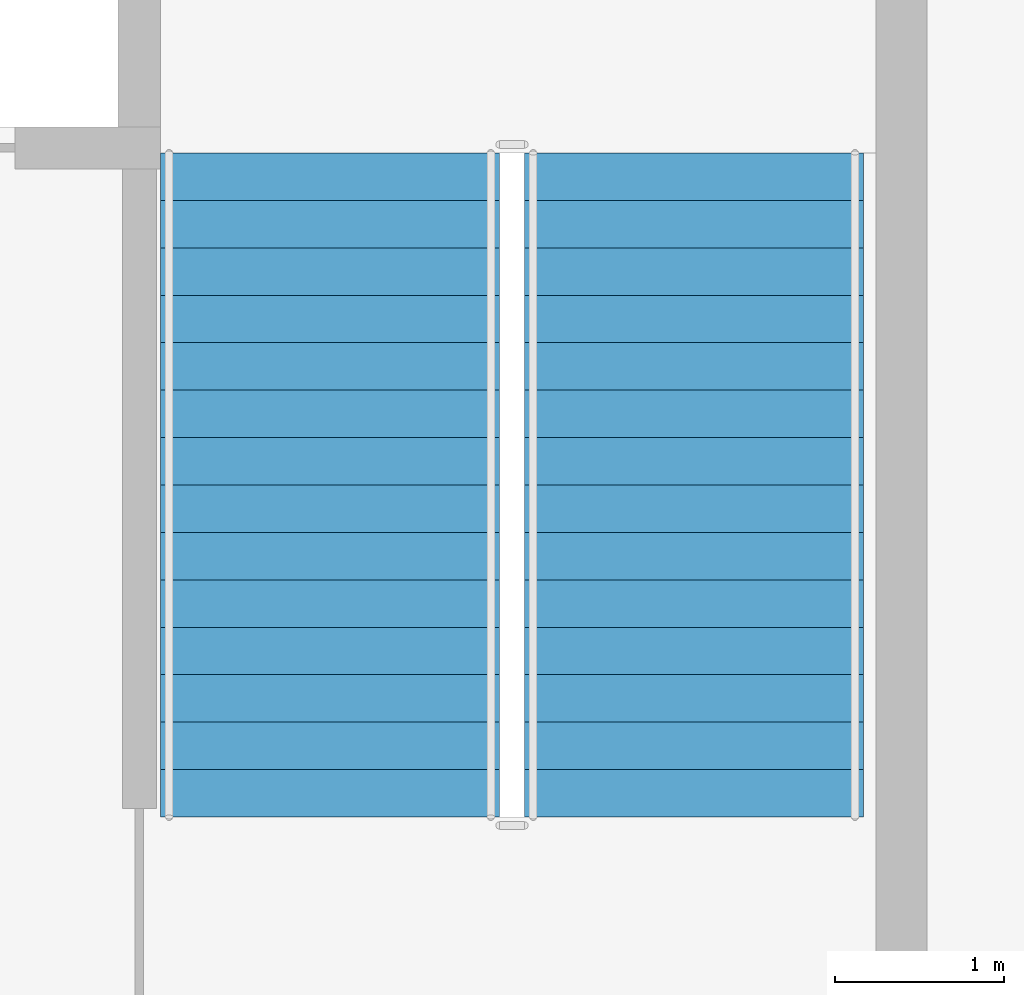
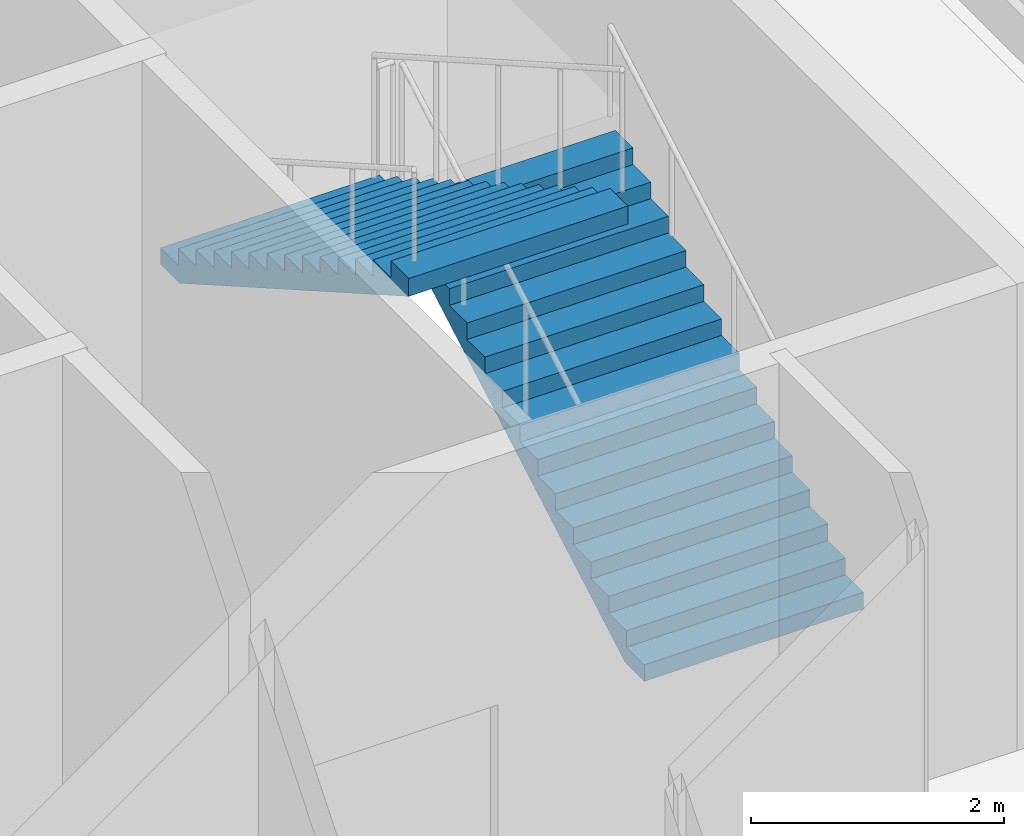
# One storey, part 6 of 10: 2 stair flights, 1 element without a shape of its own.
"""IFC4 building model written with IfcOpenShell, lengths in metres."""

from ifc_helpers import new_model, si_unit, direction, frame, origin, place, context, subcontext, project, spatial, polygons, material, type_object, element, aggregate, save


model = new_model("IFC4")

# Units and contexts
model_context = context("Model", 3, precision=1e-05, world=origin(), true_north=direction((0.0, 1.0)))
body_context = subcontext(model_context, "Body", "Model", "MODEL_VIEW")
ifc_project = project(units=[si_unit("LENGTHUNIT", "METRE"), si_unit("AREAUNIT", "SQUARE_METRE"), si_unit("VOLUMEUNIT", "CUBIC_METRE"), si_unit("PLANEANGLEUNIT", "RADIAN"), si_unit("MASSUNIT", "GRAM", prefix="KILO")], contexts=[model_context])

# Site, building, storey
site_placement = place(None, origin())
site = spatial("IfcSite", under=ifc_project, at=site_placement, CompositionType="ELEMENT")
building_placement = place(site_placement, origin())
building = spatial("IfcBuilding", under=site, at=building_placement, Name="Caravel Reach Hotel and Residences", CompositionType="ELEMENT")
storey_placement = place(building_placement, frame((0.0, 0.0, 187.60009765625)))
storey = spatial("IfcBuildingStorey", under=building, at=storey_placement, Name="L47", CompositionType="ELEMENT", Elevation=187.60009765625)

# Stair, stair flights
ifc_material_1 = material(Name="Concrete C40", Category="concrete")
stair_type = type_object("IfcStairType", Name="Core stair", PredefinedType="HALF_TURN_STAIR", material=ifc_material_1)
stair_placement = place(storey_placement, origin())
stair = element("IfcStair", 1, at=stair_placement, inside=storey, type_object=stair_type, Name="L47 Exit stair B", PredefinedType="HALF_TURN_STAIR")
ifc_material_2 = material(Name="Concrete C40", Category="concrete")
stair_flight_type = type_object("IfcStairFlightType", Name="Core stair flight", PredefinedType="STRAIGHT", material=ifc_material_2)
stair_flight_1_placement = place(storey_placement, frame((43.77490234375, 24.64990234375, 0.0), z_axis=(0.0, 0.0, 1.0), x_axis=(0.0, 1.0, 0.0)))
stair_flight_1 = element("IfcStairFlight", 2, at=stair_flight_1_placement, type_object=stair_flight_type, Name="ST-B flight 1", NumberOfRisers=15, NumberOfTreads=14, PredefinedType="STRAIGHT", RiserHeight=0.16, TreadLength=0.28, context=body_context, shape_type="Tessellation", body=[
    polygons([(0.30213783309663755, 1.0, 0.0), (0.30213783309663755, 0.6666666666666667, 0.0), (0.30213783309663755, 0.33333333333333337, 0.0), (0.30213783309663755, 0.0, 0.0), (0.30213783309663755, -0.33333333333333326, 0.0), (0.30213783309663755, -0.6666666666666667, 0.0), (0.30213783309663755, -1.0, 0.0), (3.9210000000000003, 1.0, 2.0673498096590643), (3.9210000000000003, 0.6666666666666667, 2.0673498096590643), (3.9210000000000003, 0.33333333333333337, 2.0673498096590643), (3.9210000000000003, 0.0, 2.0673498096590643), (3.9210000000000003, -0.33333333333333326, 2.0673498096590643), (3.9210000000000003, -0.6666666666666667, 2.0673498096590643), (3.9210000000000003, -1.0, 2.0673498096590643), (3.9210000000000003, 1.0, 2.24), (3.9210000000000003, 0.6666666666666667, 2.24), (3.9210000000000003, 0.33333333333333337, 2.24), (3.9210000000000003, 0.0, 2.24), (3.9210000000000003, -0.33333333333333326, 2.24), (3.9210000000000003, -0.6666666666666667, 2.24), (3.9210000000000003, -1.0, 2.24), (3.6400000000000006, 1.0, 2.24), (3.6400000000000006, 0.6666666666666667, 2.24), (3.6400000000000006, 0.33333333333333337, 2.24), (3.6400000000000006, 0.0, 2.24), (3.6400000000000006, -0.33333333333333326, 2.24), (3.6400000000000006, -0.6666666666666667, 2.24), (3.6400000000000006, -1.0, 2.24), (3.6400000000000006, 1.0, 2.08), (3.6400000000000006, 0.6666666666666667, 2.08), (3.6400000000000006, 0.33333333333333337, 2.08), (3.6400000000000006, 0.0, 2.08), (3.6400000000000006, -0.33333333333333326, 2.08), (3.6400000000000006, -0.6666666666666667, 2.08), (3.6400000000000006, -1.0, 2.08), (3.3600000000000003, 1.0, 2.08), (3.3600000000000003, 0.6666666666666667, 2.08), (3.3600000000000003, 0.33333333333333337, 2.08), (3.3600000000000003, 0.0, 2.08), (3.3600000000000003, -0.33333333333333326, 2.08), (3.3600000000000003, -0.6666666666666667, 2.08), (3.3600000000000003, -1.0, 2.08), (3.3600000000000003, 1.0, 1.92), (3.3600000000000003, 0.6666666666666667, 1.92), (3.3600000000000003, 0.33333333333333337, 1.92), (3.3600000000000003, 0.0, 1.92), (3.3600000000000003, -0.33333333333333326, 1.92), (3.3600000000000003, -0.6666666666666667, 1.92), (3.3600000000000003, -1.0, 1.92), (3.08, 1.0, 1.92), (3.08, 0.6666666666666667, 1.92), (3.08, 0.33333333333333337, 1.92), (3.08, 0.0, 1.92), (3.08, -0.33333333333333326, 1.92), (3.08, -0.6666666666666667, 1.92), (3.08, -1.0, 1.92), (3.08, 1.0, 1.76), (3.08, 0.6666666666666667, 1.76), (3.08, 0.33333333333333337, 1.76), (3.08, 0.0, 1.76), (3.08, -0.33333333333333326, 1.76), (3.08, -0.6666666666666667, 1.76), (3.08, -1.0, 1.76), (2.8000000000000003, 1.0, 1.76), (2.8000000000000003, 0.6666666666666667, 1.76), (2.8000000000000003, 0.33333333333333337, 1.76), (2.8000000000000003, 0.0, 1.76), (2.8000000000000003, -0.33333333333333326, 1.76), (2.8000000000000003, -0.6666666666666667, 1.76), (2.8000000000000003, -1.0, 1.76), (2.8000000000000003, 1.0, 1.6), (2.8000000000000003, 0.6666666666666667, 1.6), (2.8000000000000003, 0.33333333333333337, 1.6), (2.8000000000000003, 0.0, 1.6), (2.8000000000000003, -0.33333333333333326, 1.6), (2.8000000000000003, -0.6666666666666667, 1.6), (2.8000000000000003, -1.0, 1.6), (2.5200000000000005, 1.0, 1.6), (2.5200000000000005, 0.6666666666666667, 1.6), (2.5200000000000005, 0.33333333333333337, 1.6), (2.5200000000000005, 0.0, 1.6), (2.5200000000000005, -0.33333333333333326, 1.6), (2.5200000000000005, -0.6666666666666667, 1.6), (2.5200000000000005, -1.0, 1.6), (2.5200000000000005, 1.0, 1.44), (2.5200000000000005, 0.6666666666666667, 1.44), (2.5200000000000005, 0.33333333333333337, 1.44), (2.5200000000000005, 0.0, 1.44), (2.5200000000000005, -0.33333333333333326, 1.44), (2.5200000000000005, -0.6666666666666667, 1.44), (2.5200000000000005, -1.0, 1.44), (2.24, 1.0, 1.44), (2.24, 0.6666666666666667, 1.44), (2.24, 0.33333333333333337, 1.44), (2.24, 0.0, 1.44), (2.24, -0.33333333333333326, 1.44), (2.24, -0.6666666666666667, 1.44), (2.24, -1.0, 1.44), (2.24, 1.0, 1.28), (2.24, 0.6666666666666667, 1.28), (2.24, 0.33333333333333337, 1.28), (2.24, 0.0, 1.28), (2.24, -0.33333333333333326, 1.28), (2.24, -0.6666666666666667, 1.28), (2.24, -1.0, 1.28), (1.9600000000000002, 1.0, 1.28), (1.9600000000000002, 0.6666666666666667, 1.28), (1.9600000000000002, 0.33333333333333337, 1.28), (1.9600000000000002, 0.0, 1.28), (1.9600000000000002, -0.33333333333333326, 1.28), (1.9600000000000002, -0.6666666666666667, 1.28), (1.9600000000000002, -1.0, 1.28), (1.9600000000000002, 1.0, 1.12), (1.9600000000000002, 0.6666666666666667, 1.12), (1.9600000000000002, 0.33333333333333337, 1.12), (1.9600000000000002, 0.0, 1.12), (1.9600000000000002, -0.33333333333333326, 1.12), (1.9600000000000002, -0.6666666666666667, 1.12), (1.9600000000000002, -1.0, 1.12), (1.6800000000000002, 1.0, 1.12), (1.6800000000000002, 0.6666666666666667, 1.12), (1.6800000000000002, 0.33333333333333337, 1.12), (1.6800000000000002, 0.0, 1.12), (1.6800000000000002, -0.33333333333333326, 1.12), (1.6800000000000002, -0.6666666666666667, 1.12), (1.6800000000000002, -1.0, 1.12), (1.6800000000000002, 1.0, 0.96), (1.6800000000000002, 0.6666666666666667, 0.96), (1.6800000000000002, 0.33333333333333337, 0.96), (1.6800000000000002, 0.0, 0.96), (1.6800000000000002, -0.33333333333333326, 0.96), (1.6800000000000002, -0.6666666666666667, 0.96), (1.6800000000000002, -1.0, 0.96), (1.4000000000000001, 1.0, 0.96), (1.4000000000000001, 0.6666666666666667, 0.96), (1.4000000000000001, 0.33333333333333337, 0.96), (1.4000000000000001, 0.0, 0.96), (1.4000000000000001, -0.33333333333333326, 0.96), (1.4000000000000001, -0.6666666666666667, 0.96), (1.4000000000000001, -1.0, 0.96), (1.4000000000000001, 1.0, 0.8), (1.4000000000000001, 0.6666666666666667, 0.8), (1.4000000000000001, 0.33333333333333337, 0.8), (1.4000000000000001, 0.0, 0.8), (1.4000000000000001, -0.33333333333333326, 0.8), (1.4000000000000001, -0.6666666666666667, 0.8), (1.4000000000000001, -1.0, 0.8), (1.12, 1.0, 0.8), (1.12, 0.6666666666666667, 0.8), (1.12, 0.33333333333333337, 0.8), (1.12, 0.0, 0.8), (1.12, -0.33333333333333326, 0.8), (1.12, -0.6666666666666667, 0.8), (1.12, -1.0, 0.8), (1.12, 1.0, 0.64), (1.12, 0.6666666666666667, 0.64), (1.12, 0.33333333333333337, 0.64), (1.12, 0.0, 0.64), (1.12, -0.33333333333333326, 0.64), (1.12, -0.6666666666666667, 0.64), (1.12, -1.0, 0.64), (0.8400000000000001, 1.0, 0.64), (0.8400000000000001, 0.6666666666666667, 0.64), (0.8400000000000001, 0.33333333333333337, 0.64), (0.8400000000000001, 0.0, 0.64), (0.8400000000000001, -0.33333333333333326, 0.64), (0.8400000000000001, -0.6666666666666667, 0.64), (0.8400000000000001, -1.0, 0.64), (0.8400000000000001, 1.0, 0.48), (0.8400000000000001, 0.6666666666666667, 0.48), (0.8400000000000001, 0.33333333333333337, 0.48), (0.8400000000000001, 0.0, 0.48), (0.8400000000000001, -0.33333333333333326, 0.48), (0.8400000000000001, -0.6666666666666667, 0.48), (0.8400000000000001, -1.0, 0.48), (0.56, 1.0, 0.48), (0.56, 0.6666666666666667, 0.48), (0.56, 0.33333333333333337, 0.48), (0.56, 0.0, 0.48), (0.56, -0.33333333333333326, 0.48), (0.56, -0.6666666666666667, 0.48), (0.56, -1.0, 0.48), (0.56, 1.0, 0.32), (0.56, 0.6666666666666667, 0.32), (0.56, 0.33333333333333337, 0.32), (0.56, 0.0, 0.32), (0.56, -0.33333333333333326, 0.32), (0.56, -0.6666666666666667, 0.32), (0.56, -1.0, 0.32), (0.28, 1.0, 0.32), (0.28, 0.6666666666666667, 0.32), (0.28, 0.33333333333333337, 0.32), (0.28, 0.0, 0.32), (0.28, -0.33333333333333326, 0.32), (0.28, -0.6666666666666667, 0.32), (0.28, -1.0, 0.32), (0.28, 1.0, 0.16), (0.28, 0.6666666666666667, 0.16), (0.28, 0.33333333333333337, 0.16), (0.28, 0.0, 0.16), (0.28, -0.33333333333333326, 0.16), (0.28, -0.6666666666666667, 0.16), (0.28, -1.0, 0.16), (-0.001, 1.0, 0.16), (-0.001, 0.6666666666666667, 0.16), (-0.001, 0.33333333333333337, 0.16), (-0.001, 0.0, 0.16), (-0.001, -0.33333333333333326, 0.16), (-0.001, -0.6666666666666667, 0.16), (-0.001, -1.0, 0.16), (-0.001, 1.0, 0.0), (-0.001, 0.6666666666666667, 0.0), (-0.001, 0.33333333333333337, 0.0), (-0.001, 0.0, 0.0), (-0.001, -0.33333333333333326, 0.0), (-0.001, -0.6666666666666667, 0.0), (-0.001, -1.0, 0.0)], [[[211, 204, 197, 190, 183, 176, 169, 162, 155, 148, 141, 134, 127, 120, 113, 106, 99, 92, 85, 78, 71, 64, 57, 50, 43, 36, 29, 22, 15, 8, 1]], [[7, 14, 21, 28, 35, 42, 49, 56, 63, 70, 77, 84, 91, 98, 105, 112, 119, 126, 133, 140, 147, 154, 161, 168, 175, 182, 189, 196, 203, 210, 217]], [[1, 8, 9, 2]], [[2, 9, 10, 3]], [[3, 10, 11, 4]], [[4, 11, 12, 5]], [[5, 12, 13, 6]], [[6, 13, 14, 7]], [[8, 15, 16, 9]], [[9, 16, 17, 10]], [[10, 17, 18, 11]], [[11, 18, 19, 12]], [[12, 19, 20, 13]], [[13, 20, 21, 14]], [[15, 22, 23, 16]], [[16, 23, 24, 17]], [[17, 24, 25, 18]], [[18, 25, 26, 19]], [[19, 26, 27, 20]], [[20, 27, 28, 21]], [[22, 29, 30, 23]], [[23, 30, 31, 24]], [[24, 31, 32, 25]], [[25, 32, 33, 26]], [[26, 33, 34, 27]], [[27, 34, 35, 28]], [[29, 36, 37, 30]], [[30, 37, 38, 31]], [[31, 38, 39, 32]], [[32, 39, 40, 33]], [[33, 40, 41, 34]], [[34, 41, 42, 35]], [[36, 43, 44, 37]], [[37, 44, 45, 38]], [[38, 45, 46, 39]], [[39, 46, 47, 40]], [[40, 47, 48, 41]], [[41, 48, 49, 42]], [[43, 50, 51, 44]], [[44, 51, 52, 45]], [[45, 52, 53, 46]], [[46, 53, 54, 47]], [[47, 54, 55, 48]], [[48, 55, 56, 49]], [[50, 57, 58, 51]], [[51, 58, 59, 52]], [[52, 59, 60, 53]], [[53, 60, 61, 54]], [[54, 61, 62, 55]], [[55, 62, 63, 56]], [[57, 64, 65, 58]], [[58, 65, 66, 59]], [[59, 66, 67, 60]], [[60, 67, 68, 61]], [[61, 68, 69, 62]], [[62, 69, 70, 63]], [[64, 71, 72, 65]], [[65, 72, 73, 66]], [[66, 73, 74, 67]], [[67, 74, 75, 68]], [[68, 75, 76, 69]], [[69, 76, 77, 70]], [[71, 78, 79, 72]], [[72, 79, 80, 73]], [[73, 80, 81, 74]], [[74, 81, 82, 75]], [[75, 82, 83, 76]], [[76, 83, 84, 77]], [[78, 85, 86, 79]], [[79, 86, 87, 80]], [[80, 87, 88, 81]], [[81, 88, 89, 82]], [[82, 89, 90, 83]], [[83, 90, 91, 84]], [[85, 92, 93, 86]], [[86, 93, 94, 87]], [[87, 94, 95, 88]], [[88, 95, 96, 89]], [[89, 96, 97, 90]], [[90, 97, 98, 91]], [[92, 99, 100, 93]], [[93, 100, 101, 94]], [[94, 101, 102, 95]], [[95, 102, 103, 96]], [[96, 103, 104, 97]], [[97, 104, 105, 98]], [[99, 106, 107, 100]], [[100, 107, 108, 101]], [[101, 108, 109, 102]], [[102, 109, 110, 103]], [[103, 110, 111, 104]], [[104, 111, 112, 105]], [[106, 113, 114, 107]], [[107, 114, 115, 108]], [[108, 115, 116, 109]], [[109, 116, 117, 110]], [[110, 117, 118, 111]], [[111, 118, 119, 112]], [[113, 120, 121, 114]], [[114, 121, 122, 115]], [[115, 122, 123, 116]], [[116, 123, 124, 117]], [[117, 124, 125, 118]], [[118, 125, 126, 119]], [[120, 127, 128, 121]], [[121, 128, 129, 122]], [[122, 129, 130, 123]], [[123, 130, 131, 124]], [[124, 131, 132, 125]], [[125, 132, 133, 126]], [[127, 134, 135, 128]], [[128, 135, 136, 129]], [[129, 136, 137, 130]], [[130, 137, 138, 131]], [[131, 138, 139, 132]], [[132, 139, 140, 133]], [[134, 141, 142, 135]], [[135, 142, 143, 136]], [[136, 143, 144, 137]], [[137, 144, 145, 138]], [[138, 145, 146, 139]], [[139, 146, 147, 140]], [[141, 148, 149, 142]], [[142, 149, 150, 143]], [[143, 150, 151, 144]], [[144, 151, 152, 145]], [[145, 152, 153, 146]], [[146, 153, 154, 147]], [[148, 155, 156, 149]], [[149, 156, 157, 150]], [[150, 157, 158, 151]], [[151, 158, 159, 152]], [[152, 159, 160, 153]], [[153, 160, 161, 154]], [[155, 162, 163, 156]], [[156, 163, 164, 157]], [[157, 164, 165, 158]], [[158, 165, 166, 159]], [[159, 166, 167, 160]], [[160, 167, 168, 161]], [[162, 169, 170, 163]], [[163, 170, 171, 164]], [[164, 171, 172, 165]], [[165, 172, 173, 166]], [[166, 173, 174, 167]], [[167, 174, 175, 168]], [[169, 176, 177, 170]], [[170, 177, 178, 171]], [[171, 178, 179, 172]], [[172, 179, 180, 173]], [[173, 180, 181, 174]], [[174, 181, 182, 175]], [[176, 183, 184, 177]], [[177, 184, 185, 178]], [[178, 185, 186, 179]], [[179, 186, 187, 180]], [[180, 187, 188, 181]], [[181, 188, 189, 182]], [[183, 190, 191, 184]], [[184, 191, 192, 185]], [[185, 192, 193, 186]], [[186, 193, 194, 187]], [[187, 194, 195, 188]], [[188, 195, 196, 189]], [[190, 197, 198, 191]], [[191, 198, 199, 192]], [[192, 199, 200, 193]], [[193, 200, 201, 194]], [[194, 201, 202, 195]], [[195, 202, 203, 196]], [[197, 204, 205, 198]], [[198, 205, 206, 199]], [[199, 206, 207, 200]], [[200, 207, 208, 201]], [[201, 208, 209, 202]], [[202, 209, 210, 203]], [[204, 211, 212, 205]], [[205, 212, 213, 206]], [[206, 213, 214, 207]], [[207, 214, 215, 208]], [[208, 215, 216, 209]], [[209, 216, 217, 210]], [[211, 1, 2, 212]], [[212, 2, 3, 213]], [[213, 3, 4, 214]], [[214, 4, 5, 215]], [[215, 5, 6, 216]], [[216, 6, 7, 217]]], closed=True),
])
stair_flight_2_placement = place(storey_placement, frame((41.625, 28.570068359375, 2.39990234375), z_axis=(0.0, 0.0, 1.0), x_axis=(0.0, -1.0, 0.0)))
stair_flight_2 = element("IfcStairFlight", 3, at=stair_flight_2_placement, type_object=stair_flight_type, Name="ST-B flight 2", NumberOfRisers=15, NumberOfTreads=14, PredefinedType="STRAIGHT", RiserHeight=0.16, TreadLength=0.28, context=body_context, shape_type="Tessellation", body=[
    polygons([(0.30213783309663755, 1.0, 0.0), (0.30213783309663755, 0.6666666666666667, 0.0), (0.30213783309663755, 0.33333333333333337, 0.0), (0.30213783309663755, 0.0, 0.0), (0.30213783309663755, -0.33333333333333326, 0.0), (0.30213783309663755, -0.6666666666666667, 0.0), (0.30213783309663755, -1.0, 0.0), (3.9210000000000003, 1.0, 2.0673498096590643), (3.9210000000000003, 0.6666666666666667, 2.0673498096590643), (3.9210000000000003, 0.33333333333333337, 2.0673498096590643), (3.9210000000000003, 0.0, 2.0673498096590643), (3.9210000000000003, -0.33333333333333326, 2.0673498096590643), (3.9210000000000003, -0.6666666666666667, 2.0673498096590643), (3.9210000000000003, -1.0, 2.0673498096590643), (3.9210000000000003, 1.0, 2.24), (3.9210000000000003, 0.6666666666666667, 2.24), (3.9210000000000003, 0.33333333333333337, 2.24), (3.9210000000000003, 0.0, 2.24), (3.9210000000000003, -0.33333333333333326, 2.24), (3.9210000000000003, -0.6666666666666667, 2.24), (3.9210000000000003, -1.0, 2.24), (3.6400000000000006, 1.0, 2.24), (3.6400000000000006, 0.6666666666666667, 2.24), (3.6400000000000006, 0.33333333333333337, 2.24), (3.6400000000000006, 0.0, 2.24), (3.6400000000000006, -0.33333333333333326, 2.24), (3.6400000000000006, -0.6666666666666667, 2.24), (3.6400000000000006, -1.0, 2.24), (3.6400000000000006, 1.0, 2.08), (3.6400000000000006, 0.6666666666666667, 2.08), (3.6400000000000006, 0.33333333333333337, 2.08), (3.6400000000000006, 0.0, 2.08), (3.6400000000000006, -0.33333333333333326, 2.08), (3.6400000000000006, -0.6666666666666667, 2.08), (3.6400000000000006, -1.0, 2.08), (3.3600000000000003, 1.0, 2.08), (3.3600000000000003, 0.6666666666666667, 2.08), (3.3600000000000003, 0.33333333333333337, 2.08), (3.3600000000000003, 0.0, 2.08), (3.3600000000000003, -0.33333333333333326, 2.08), (3.3600000000000003, -0.6666666666666667, 2.08), (3.3600000000000003, -1.0, 2.08), (3.3600000000000003, 1.0, 1.92), (3.3600000000000003, 0.6666666666666667, 1.92), (3.3600000000000003, 0.33333333333333337, 1.92), (3.3600000000000003, 0.0, 1.92), (3.3600000000000003, -0.33333333333333326, 1.92), (3.3600000000000003, -0.6666666666666667, 1.92), (3.3600000000000003, -1.0, 1.92), (3.08, 1.0, 1.92), (3.08, 0.6666666666666667, 1.92), (3.08, 0.33333333333333337, 1.92), (3.08, 0.0, 1.92), (3.08, -0.33333333333333326, 1.92), (3.08, -0.6666666666666667, 1.92), (3.08, -1.0, 1.92), (3.08, 1.0, 1.76), (3.08, 0.6666666666666667, 1.76), (3.08, 0.33333333333333337, 1.76), (3.08, 0.0, 1.76), (3.08, -0.33333333333333326, 1.76), (3.08, -0.6666666666666667, 1.76), (3.08, -1.0, 1.76), (2.8000000000000003, 1.0, 1.76), (2.8000000000000003, 0.6666666666666667, 1.76), (2.8000000000000003, 0.33333333333333337, 1.76), (2.8000000000000003, 0.0, 1.76), (2.8000000000000003, -0.33333333333333326, 1.76), (2.8000000000000003, -0.6666666666666667, 1.76), (2.8000000000000003, -1.0, 1.76), (2.8000000000000003, 1.0, 1.6), (2.8000000000000003, 0.6666666666666667, 1.6), (2.8000000000000003, 0.33333333333333337, 1.6), (2.8000000000000003, 0.0, 1.6), (2.8000000000000003, -0.33333333333333326, 1.6), (2.8000000000000003, -0.6666666666666667, 1.6), (2.8000000000000003, -1.0, 1.6), (2.5200000000000005, 1.0, 1.6), (2.5200000000000005, 0.6666666666666667, 1.6), (2.5200000000000005, 0.33333333333333337, 1.6), (2.5200000000000005, 0.0, 1.6), (2.5200000000000005, -0.33333333333333326, 1.6), (2.5200000000000005, -0.6666666666666667, 1.6), (2.5200000000000005, -1.0, 1.6), (2.5200000000000005, 1.0, 1.44), (2.5200000000000005, 0.6666666666666667, 1.44), (2.5200000000000005, 0.33333333333333337, 1.44), (2.5200000000000005, 0.0, 1.44), (2.5200000000000005, -0.33333333333333326, 1.44), (2.5200000000000005, -0.6666666666666667, 1.44), (2.5200000000000005, -1.0, 1.44), (2.24, 1.0, 1.44), (2.24, 0.6666666666666667, 1.44), (2.24, 0.33333333333333337, 1.44), (2.24, 0.0, 1.44), (2.24, -0.33333333333333326, 1.44), (2.24, -0.6666666666666667, 1.44), (2.24, -1.0, 1.44), (2.24, 1.0, 1.28), (2.24, 0.6666666666666667, 1.28), (2.24, 0.33333333333333337, 1.28), (2.24, 0.0, 1.28), (2.24, -0.33333333333333326, 1.28), (2.24, -0.6666666666666667, 1.28), (2.24, -1.0, 1.28), (1.9600000000000002, 1.0, 1.28), (1.9600000000000002, 0.6666666666666667, 1.28), (1.9600000000000002, 0.33333333333333337, 1.28), (1.9600000000000002, 0.0, 1.28), (1.9600000000000002, -0.33333333333333326, 1.28), (1.9600000000000002, -0.6666666666666667, 1.28), (1.9600000000000002, -1.0, 1.28), (1.9600000000000002, 1.0, 1.12), (1.9600000000000002, 0.6666666666666667, 1.12), (1.9600000000000002, 0.33333333333333337, 1.12), (1.9600000000000002, 0.0, 1.12), (1.9600000000000002, -0.33333333333333326, 1.12), (1.9600000000000002, -0.6666666666666667, 1.12), (1.9600000000000002, -1.0, 1.12), (1.6800000000000002, 1.0, 1.12), (1.6800000000000002, 0.6666666666666667, 1.12), (1.6800000000000002, 0.33333333333333337, 1.12), (1.6800000000000002, 0.0, 1.12), (1.6800000000000002, -0.33333333333333326, 1.12), (1.6800000000000002, -0.6666666666666667, 1.12), (1.6800000000000002, -1.0, 1.12), (1.6800000000000002, 1.0, 0.96), (1.6800000000000002, 0.6666666666666667, 0.96), (1.6800000000000002, 0.33333333333333337, 0.96), (1.6800000000000002, 0.0, 0.96), (1.6800000000000002, -0.33333333333333326, 0.96), (1.6800000000000002, -0.6666666666666667, 0.96), (1.6800000000000002, -1.0, 0.96), (1.4000000000000001, 1.0, 0.96), (1.4000000000000001, 0.6666666666666667, 0.96), (1.4000000000000001, 0.33333333333333337, 0.96), (1.4000000000000001, 0.0, 0.96), (1.4000000000000001, -0.33333333333333326, 0.96), (1.4000000000000001, -0.6666666666666667, 0.96), (1.4000000000000001, -1.0, 0.96), (1.4000000000000001, 1.0, 0.8), (1.4000000000000001, 0.6666666666666667, 0.8), (1.4000000000000001, 0.33333333333333337, 0.8), (1.4000000000000001, 0.0, 0.8), (1.4000000000000001, -0.33333333333333326, 0.8), (1.4000000000000001, -0.6666666666666667, 0.8), (1.4000000000000001, -1.0, 0.8), (1.12, 1.0, 0.8), (1.12, 0.6666666666666667, 0.8), (1.12, 0.33333333333333337, 0.8), (1.12, 0.0, 0.8), (1.12, -0.33333333333333326, 0.8), (1.12, -0.6666666666666667, 0.8), (1.12, -1.0, 0.8), (1.12, 1.0, 0.64), (1.12, 0.6666666666666667, 0.64), (1.12, 0.33333333333333337, 0.64), (1.12, 0.0, 0.64), (1.12, -0.33333333333333326, 0.64), (1.12, -0.6666666666666667, 0.64), (1.12, -1.0, 0.64), (0.8400000000000001, 1.0, 0.64), (0.8400000000000001, 0.6666666666666667, 0.64), (0.8400000000000001, 0.33333333333333337, 0.64), (0.8400000000000001, 0.0, 0.64), (0.8400000000000001, -0.33333333333333326, 0.64), (0.8400000000000001, -0.6666666666666667, 0.64), (0.8400000000000001, -1.0, 0.64), (0.8400000000000001, 1.0, 0.48), (0.8400000000000001, 0.6666666666666667, 0.48), (0.8400000000000001, 0.33333333333333337, 0.48), (0.8400000000000001, 0.0, 0.48), (0.8400000000000001, -0.33333333333333326, 0.48), (0.8400000000000001, -0.6666666666666667, 0.48), (0.8400000000000001, -1.0, 0.48), (0.56, 1.0, 0.48), (0.56, 0.6666666666666667, 0.48), (0.56, 0.33333333333333337, 0.48), (0.56, 0.0, 0.48), (0.56, -0.33333333333333326, 0.48), (0.56, -0.6666666666666667, 0.48), (0.56, -1.0, 0.48), (0.56, 1.0, 0.32), (0.56, 0.6666666666666667, 0.32), (0.56, 0.33333333333333337, 0.32), (0.56, 0.0, 0.32), (0.56, -0.33333333333333326, 0.32), (0.56, -0.6666666666666667, 0.32), (0.56, -1.0, 0.32), (0.28, 1.0, 0.32), (0.28, 0.6666666666666667, 0.32), (0.28, 0.33333333333333337, 0.32), (0.28, 0.0, 0.32), (0.28, -0.33333333333333326, 0.32), (0.28, -0.6666666666666667, 0.32), (0.28, -1.0, 0.32), (0.28, 1.0, 0.16), (0.28, 0.6666666666666667, 0.16), (0.28, 0.33333333333333337, 0.16), (0.28, 0.0, 0.16), (0.28, -0.33333333333333326, 0.16), (0.28, -0.6666666666666667, 0.16), (0.28, -1.0, 0.16), (-0.001, 1.0, 0.16), (-0.001, 0.6666666666666667, 0.16), (-0.001, 0.33333333333333337, 0.16), (-0.001, 0.0, 0.16), (-0.001, -0.33333333333333326, 0.16), (-0.001, -0.6666666666666667, 0.16), (-0.001, -1.0, 0.16), (-0.001, 1.0, 0.0), (-0.001, 0.6666666666666667, 0.0), (-0.001, 0.33333333333333337, 0.0), (-0.001, 0.0, 0.0), (-0.001, -0.33333333333333326, 0.0), (-0.001, -0.6666666666666667, 0.0), (-0.001, -1.0, 0.0)], [[[211, 204, 197, 190, 183, 176, 169, 162, 155, 148, 141, 134, 127, 120, 113, 106, 99, 92, 85, 78, 71, 64, 57, 50, 43, 36, 29, 22, 15, 8, 1]], [[7, 14, 21, 28, 35, 42, 49, 56, 63, 70, 77, 84, 91, 98, 105, 112, 119, 126, 133, 140, 147, 154, 161, 168, 175, 182, 189, 196, 203, 210, 217]], [[1, 8, 9, 2]], [[2, 9, 10, 3]], [[3, 10, 11, 4]], [[4, 11, 12, 5]], [[5, 12, 13, 6]], [[6, 13, 14, 7]], [[8, 15, 16, 9]], [[9, 16, 17, 10]], [[10, 17, 18, 11]], [[11, 18, 19, 12]], [[12, 19, 20, 13]], [[13, 20, 21, 14]], [[15, 22, 23, 16]], [[16, 23, 24, 17]], [[17, 24, 25, 18]], [[18, 25, 26, 19]], [[19, 26, 27, 20]], [[20, 27, 28, 21]], [[22, 29, 30, 23]], [[23, 30, 31, 24]], [[24, 31, 32, 25]], [[25, 32, 33, 26]], [[26, 33, 34, 27]], [[27, 34, 35, 28]], [[29, 36, 37, 30]], [[30, 37, 38, 31]], [[31, 38, 39, 32]], [[32, 39, 40, 33]], [[33, 40, 41, 34]], [[34, 41, 42, 35]], [[36, 43, 44, 37]], [[37, 44, 45, 38]], [[38, 45, 46, 39]], [[39, 46, 47, 40]], [[40, 47, 48, 41]], [[41, 48, 49, 42]], [[43, 50, 51, 44]], [[44, 51, 52, 45]], [[45, 52, 53, 46]], [[46, 53, 54, 47]], [[47, 54, 55, 48]], [[48, 55, 56, 49]], [[50, 57, 58, 51]], [[51, 58, 59, 52]], [[52, 59, 60, 53]], [[53, 60, 61, 54]], [[54, 61, 62, 55]], [[55, 62, 63, 56]], [[57, 64, 65, 58]], [[58, 65, 66, 59]], [[59, 66, 67, 60]], [[60, 67, 68, 61]], [[61, 68, 69, 62]], [[62, 69, 70, 63]], [[64, 71, 72, 65]], [[65, 72, 73, 66]], [[66, 73, 74, 67]], [[67, 74, 75, 68]], [[68, 75, 76, 69]], [[69, 76, 77, 70]], [[71, 78, 79, 72]], [[72, 79, 80, 73]], [[73, 80, 81, 74]], [[74, 81, 82, 75]], [[75, 82, 83, 76]], [[76, 83, 84, 77]], [[78, 85, 86, 79]], [[79, 86, 87, 80]], [[80, 87, 88, 81]], [[81, 88, 89, 82]], [[82, 89, 90, 83]], [[83, 90, 91, 84]], [[85, 92, 93, 86]], [[86, 93, 94, 87]], [[87, 94, 95, 88]], [[88, 95, 96, 89]], [[89, 96, 97, 90]], [[90, 97, 98, 91]], [[92, 99, 100, 93]], [[93, 100, 101, 94]], [[94, 101, 102, 95]], [[95, 102, 103, 96]], [[96, 103, 104, 97]], [[97, 104, 105, 98]], [[99, 106, 107, 100]], [[100, 107, 108, 101]], [[101, 108, 109, 102]], [[102, 109, 110, 103]], [[103, 110, 111, 104]], [[104, 111, 112, 105]], [[106, 113, 114, 107]], [[107, 114, 115, 108]], [[108, 115, 116, 109]], [[109, 116, 117, 110]], [[110, 117, 118, 111]], [[111, 118, 119, 112]], [[113, 120, 121, 114]], [[114, 121, 122, 115]], [[115, 122, 123, 116]], [[116, 123, 124, 117]], [[117, 124, 125, 118]], [[118, 125, 126, 119]], [[120, 127, 128, 121]], [[121, 128, 129, 122]], [[122, 129, 130, 123]], [[123, 130, 131, 124]], [[124, 131, 132, 125]], [[125, 132, 133, 126]], [[127, 134, 135, 128]], [[128, 135, 136, 129]], [[129, 136, 137, 130]], [[130, 137, 138, 131]], [[131, 138, 139, 132]], [[132, 139, 140, 133]], [[134, 141, 142, 135]], [[135, 142, 143, 136]], [[136, 143, 144, 137]], [[137, 144, 145, 138]], [[138, 145, 146, 139]], [[139, 146, 147, 140]], [[141, 148, 149, 142]], [[142, 149, 150, 143]], [[143, 150, 151, 144]], [[144, 151, 152, 145]], [[145, 152, 153, 146]], [[146, 153, 154, 147]], [[148, 155, 156, 149]], [[149, 156, 157, 150]], [[150, 157, 158, 151]], [[151, 158, 159, 152]], [[152, 159, 160, 153]], [[153, 160, 161, 154]], [[155, 162, 163, 156]], [[156, 163, 164, 157]], [[157, 164, 165, 158]], [[158, 165, 166, 159]], [[159, 166, 167, 160]], [[160, 167, 168, 161]], [[162, 169, 170, 163]], [[163, 170, 171, 164]], [[164, 171, 172, 165]], [[165, 172, 173, 166]], [[166, 173, 174, 167]], [[167, 174, 175, 168]], [[169, 176, 177, 170]], [[170, 177, 178, 171]], [[171, 178, 179, 172]], [[172, 179, 180, 173]], [[173, 180, 181, 174]], [[174, 181, 182, 175]], [[176, 183, 184, 177]], [[177, 184, 185, 178]], [[178, 185, 186, 179]], [[179, 186, 187, 180]], [[180, 187, 188, 181]], [[181, 188, 189, 182]], [[183, 190, 191, 184]], [[184, 191, 192, 185]], [[185, 192, 193, 186]], [[186, 193, 194, 187]], [[187, 194, 195, 188]], [[188, 195, 196, 189]], [[190, 197, 198, 191]], [[191, 198, 199, 192]], [[192, 199, 200, 193]], [[193, 200, 201, 194]], [[194, 201, 202, 195]], [[195, 202, 203, 196]], [[197, 204, 205, 198]], [[198, 205, 206, 199]], [[199, 206, 207, 200]], [[200, 207, 208, 201]], [[201, 208, 209, 202]], [[202, 209, 210, 203]], [[204, 211, 212, 205]], [[205, 212, 213, 206]], [[206, 213, 214, 207]], [[207, 214, 215, 208]], [[208, 215, 216, 209]], [[209, 216, 217, 210]], [[211, 1, 2, 212]], [[212, 2, 3, 213]], [[213, 3, 4, 214]], [[214, 4, 5, 215]], [[215, 5, 6, 216]], [[216, 6, 7, 217]]], closed=True),
])
aggregate(stair, [stair_flight_1, stair_flight_2])

save(model, "model.ifc")
